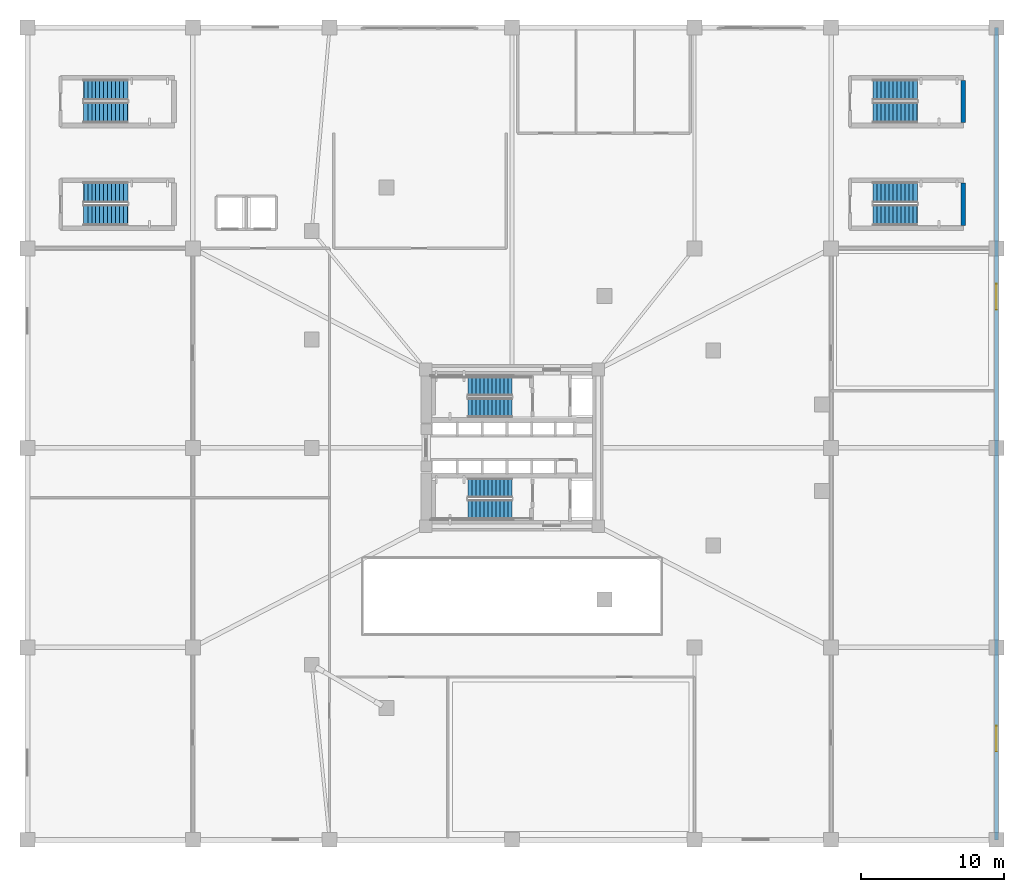
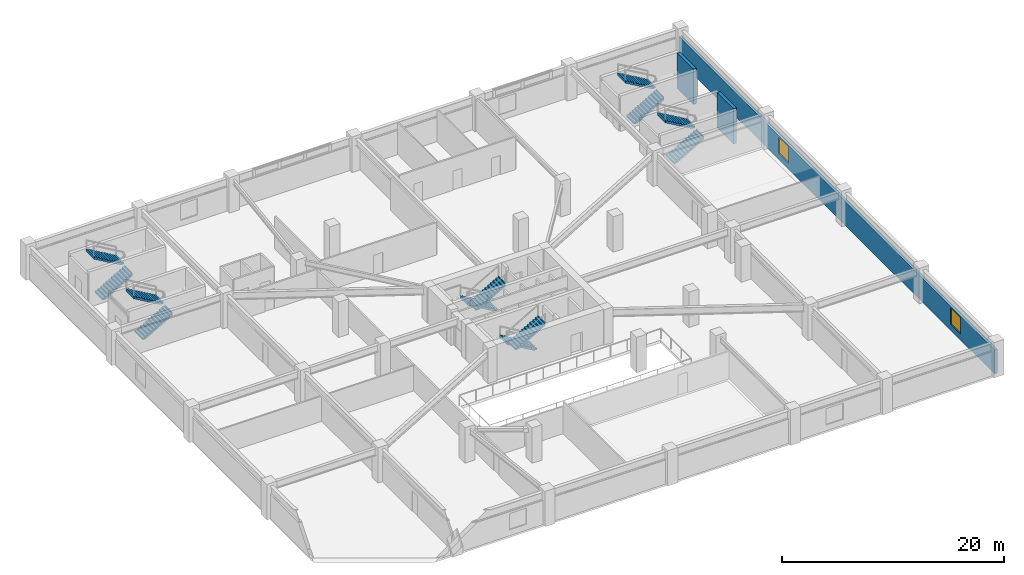
# One storey, part 7 of 15: 12 stair flights, 3 walls, 2 windows, 2 openings, 6 elements without a shape of their own.
"""IFC4 building model written with IfcOpenShell, lengths in metres."""

from ifc_helpers import new_model, si_unit, direction, frame, frame_2d, origin, place, context, subcontext, project, spatial, polyline, rectangle, outline, extrude, material, layer, layer_set, type_object, element, fill, aggregate, save


model = new_model("IFC4")

# Units and contexts
model_context = context("Model", 3, precision=1e-05, world=origin(), true_north=direction((0.0, 1.0)))
body_context = subcontext(model_context, "Body", "Model", "MODEL_VIEW")
ifc_project = project(units=[si_unit("LENGTHUNIT", "METRE"), si_unit("AREAUNIT", "SQUARE_METRE"), si_unit("VOLUMEUNIT", "CUBIC_METRE"), si_unit("PLANEANGLEUNIT", "RADIAN"), si_unit("MASSUNIT", "GRAM", prefix="KILO")], contexts=[model_context])

# Site, building, storey
site_placement = place(None, origin())
site = spatial("IfcSite", under=ifc_project, at=site_placement, CompositionType="ELEMENT")
building_placement = place(site_placement, origin())
building = spatial("IfcBuilding", under=site, at=building_placement, Name="Yunling Apex Tower", CompositionType="ELEMENT")
storey_placement = place(building_placement, frame((0.0, 0.0, 12.300048828125)))
storey = spatial("IfcBuildingStorey", under=building, at=storey_placement, Name="L04", CompositionType="ELEMENT", Elevation=12.300048828125)

# Walls
ifc_material_1 = material(Name="Concrete C40", Category="concrete")
ifc_layer_1 = layer(ifc_material_1, 0.320068359375)
ifc_layer_set_1 = layer_set([ifc_layer_1], Name="Concrete C40")
wall_type_1 = type_object("IfcWallType", Name="WL-COR-7", PredefinedType="SHEAR", material=ifc_layer_set_1)
for number, where, z_axis, x_axis, name in (
    (1, (31.679931640625, 15.6201171875, 0.0), (0.0, 0.0, 1.0), (0.0, 1.0, 0.0), "L04 STP2 Half-Landing Bearing Wall"),
    (2, (31.679931640625, 22.820068359375, 0.0), (0.0, 0.0, 1.0), (0.0, 1.0, 0.0), "L04 STG2 Half-Landing Bearing Wall"),
):
    element("IfcWall", number, at=place(storey_placement, frame(where, z_axis=z_axis, x_axis=x_axis)), inside=storey, type_object=wall_type_1, Name=name, PredefinedType="SHEAR", context=body_context, shape_type="SweptSolid", body=[
        extrude(rectangle(XDim=2.9599609375, YDim=0.320068359375, at=frame_2d((1.47998046875, 0.0))), origin(), (0.0, 0.0, 1.0), 3.89990234375),
    ])

# Wall, openings, windows
ifc_material_2 = material(Name="Precast concrete C40", Category="concrete")
ifc_layer_2 = layer(ifc_material_2, 0.280029296875)
ifc_layer_set_2 = layer_set([ifc_layer_2], Name="Precast concrete C40")
wall_type_2 = type_object("IfcWallType", Name="WL-EXT-2", PredefinedType="SOLIDWALL", material=ifc_layer_set_2)
wall_placement = place(storey_placement, frame((34.0, 29.5, 0.0), z_axis=(0.0, 0.0, 1.0), x_axis=(0.0, -1.0, 0.0)))
wall = element("IfcWall", 3, at=wall_placement, inside=storey, type_object=wall_type_2, Name="WL-POD-L04-E", PredefinedType="SOLIDWALL", context=body_context, shape_type="SweptSolid", body=[
    extrude(rectangle(XDim=57.0, YDim=0.280029296875, at=frame_2d((28.5, 0.0))), origin(), (0.0, 0.0, 1.0), 2.64990234375),
])
opening_1_placement = place(wall_placement, frame((18.0, 0.0, 0.64990234375)))
opening_1 = element("IfcOpeningElement", 4, at=opening_1_placement, cuts=wall, Name="Opening WN-POD-2", PredefinedType="OPENING", context=body_context, shape_type="SweptSolid", body=[
    extrude(rectangle(XDim=1.800048828125, YDim=1.800048828125, at=frame_2d((0.89990234375, 0.89990234375))), frame((0.0, 0.14990234375, 0.0), z_axis=(0.0, -1.0, 0.0), x_axis=(1.0, 0.0, 0.0)), (0.0, 0.0, 1.0), 0.300048828125),
])
opening_2_placement = place(wall_placement, frame((49.0, 0.0, 0.64990234375)))
opening_2 = element("IfcOpeningElement", 5, at=opening_2_placement, cuts=wall, Name="Opening WN-POD-2", PredefinedType="OPENING", context=body_context, shape_type="SweptSolid", body=[
    extrude(rectangle(XDim=1.800048828125, YDim=1.800048828125, at=frame_2d((0.89990234375, 0.89990234375))), frame((0.0, 0.14990234375, 0.0), z_axis=(0.0, -1.0, 0.0), x_axis=(1.0, 0.0, 0.0)), (0.0, 0.0, 1.0), 0.300048828125),
])
ifc_material_3 = material(Name="Bronze tinted low-E glass", Category="glass")
window_type = type_object("IfcWindowType", Name="WN-POD-2", PartitioningType="SINGLE_PANEL", PredefinedType="WINDOW", material=ifc_material_3)
window_1_placement = place(opening_1_placement, origin())
window_1 = element("IfcWindow", 6, at=window_1_placement, inside=storey, type_object=window_type, Name="WN-L04-E-1", OverallHeight=1.800048828125, OverallWidth=1.800048828125, PartitioningType="SINGLE_PANEL", PredefinedType="WINDOW", context=body_context, shape_type="SweptSolid", body=[
    extrude(rectangle(XDim=1.800048828125, YDim=1.800048828125, at=frame_2d((0.89990234375, 0.89990234375))), frame((0.0, 0.030029296875, 0.0), z_axis=(0.0, -1.0, 0.0), x_axis=(1.0, 0.0, 0.0)), (0.0, 0.0, 1.0), 0.06005859375),
])
fill(opening_1, window_1)
window_2_placement = place(opening_2_placement, origin())
window_2 = element("IfcWindow", 7, at=window_2_placement, inside=storey, type_object=window_type, Name="WN-L04-E-2", OverallHeight=1.800048828125, OverallWidth=1.800048828125, PartitioningType="SINGLE_PANEL", PredefinedType="WINDOW", context=body_context, shape_type="SweptSolid", body=[
    extrude(rectangle(XDim=1.800048828125, YDim=1.800048828125, at=frame_2d((0.89990234375, 0.89990234375))), frame((0.0, 0.030029296875, 0.0), z_axis=(0.0, -1.0, 0.0), x_axis=(1.0, 0.0, 0.0)), (0.0, 0.0, 1.0), 0.06005859375),
])
fill(opening_2, window_2)

# Stair, stair flights
stair_type_1 = type_object("IfcStairType", Name="ST-GDN-1", PredefinedType="STRAIGHT_RUN_STAIR", material=ifc_material_1)
stair_1_placement = place(storey_placement, origin())
stair_1 = element("IfcStair", 8, at=stair_1_placement, inside=storey, type_object=stair_type_1, Name="L04 West Plaza-to-Garden External Stair ST-G1", PredefinedType="HALF_TURN_STAIR")
stair_flight_type_1 = type_object("IfcStairFlightType", Name="SFL-GDN-1", PredefinedType="STRAIGHT", material=ifc_material_1)
stair_flight_1_placement = place(storey_placement, frame((-30.050048828125, 23.52490234375, 0.0), z_axis=(0.0, 0.0, 1.0), x_axis=(1.0, 0.0, 0.0)))
stair_flight_1 = element("IfcStairFlight", 9, at=stair_flight_1_placement, type_object=stair_flight_type_1, Name="ST-G1 flight 1", NumberOfRisers=12, NumberOfTreads=11, PredefinedType="STRAIGHT", RiserHeight=0.1625, TreadLength=0.28, context=body_context, shape_type="SweptSolid", body=[
    extrude(outline(polyline([(-0.011962890625, 0.0), (-0.011962890625, 0.16259765625), (0.0, 0.16259765625), (0.280029296875, 0.16259765625), (0.280029296875, 0.324951171875), (0.56005859375, 0.324951171875), (0.56005859375, 0.487548828125), (0.840087890625, 0.487548828125), (0.840087890625, 0.64990234375), (1.1201171875, 0.64990234375), (1.1201171875, 0.8125), (1.39990234375, 0.8125), (1.39990234375, 0.97509765625), (1.679931640625, 0.97509765625), (1.679931640625, 1.137451171875), (1.9599609375, 1.137451171875), (1.9599609375, 1.300048828125), (2.239990234375, 1.300048828125), (2.239990234375, 1.46240234375), (2.52001953125, 1.46240234375), (2.52001953125, 1.625), (2.800048828125, 1.625), (2.800048828125, 1.78759765625), (3.080078125, 1.78759765625), (3.080078125, 1.949951171875), (3.092041015625, 1.949951171875), (3.092041015625, 1.6025390625), (0.318603515625, 0.0), (-0.011962890625, 0.0)])), frame((0.0, 0.72509765625, 0.0), z_axis=(0.0, -1.0, 0.0), x_axis=(1.0, 0.0, 0.0)), (0.0, 0.0, 1.0), 1.449951171875),
])
stair_flight_2_placement = place(storey_placement, frame((-26.969970703125, 25.125, 1.949951171875), z_axis=(0.0, 0.0, 1.0), x_axis=(-1.0, 0.0, 0.0)))
stair_flight_2 = element("IfcStairFlight", 10, at=stair_flight_2_placement, type_object=stair_flight_type_1, Name="ST-G1 flight 2", NumberOfRisers=12, NumberOfTreads=11, PredefinedType="STRAIGHT", RiserHeight=0.1625, TreadLength=0.28, context=body_context, shape_type="SweptSolid", body=[
    extrude(outline(polyline([(-0.011962890625, 0.0), (-0.011962890625, 0.16259765625), (0.0, 0.16259765625), (0.280029296875, 0.16259765625), (0.280029296875, 0.324951171875), (0.56005859375, 0.324951171875), (0.56005859375, 0.487548828125), (0.840087890625, 0.487548828125), (0.840087890625, 0.64990234375), (1.1201171875, 0.64990234375), (1.1201171875, 0.8125), (1.39990234375, 0.8125), (1.39990234375, 0.97509765625), (1.679931640625, 0.97509765625), (1.679931640625, 1.137451171875), (1.9599609375, 1.137451171875), (1.9599609375, 1.300048828125), (2.239990234375, 1.300048828125), (2.239990234375, 1.46240234375), (2.52001953125, 1.46240234375), (2.52001953125, 1.625), (2.800048828125, 1.625), (2.800048828125, 1.78759765625), (3.080078125, 1.78759765625), (3.080078125, 1.949951171875), (3.092041015625, 1.949951171875), (3.092041015625, 1.6025390625), (0.318603515625, 0.0), (-0.011962890625, 0.0)])), frame((0.0, 0.72509765625, 0.0), z_axis=(0.0, -1.0, 0.0), x_axis=(1.0, 0.0, 0.0)), (0.0, 0.0, 1.0), 1.449951171875),
])
aggregate(stair_1, [stair_flight_1, stair_flight_2])

stair_2_placement = place(storey_placement, origin())
stair_2 = element("IfcStair", 11, at=stair_2_placement, inside=storey, type_object=stair_type_1, Name="L04 East Plaza-to-Garden External Stair ST-G2", PredefinedType="HALF_TURN_STAIR")
stair_flight_3_placement = place(storey_placement, frame((25.35009765625, 23.52490234375, 0.0), z_axis=(0.0, 0.0, 1.0), x_axis=(1.0, 0.0, 0.0)))
stair_flight_3 = element("IfcStairFlight", 12, at=stair_flight_3_placement, type_object=stair_flight_type_1, Name="ST-G2 flight 1", NumberOfRisers=12, NumberOfTreads=11, PredefinedType="STRAIGHT", RiserHeight=0.1625, TreadLength=0.28, context=body_context, shape_type="SweptSolid", body=[
    extrude(outline(polyline([(-0.011962890625, 0.0), (-0.011962890625, 0.16259765625), (0.0, 0.16259765625), (0.280029296875, 0.16259765625), (0.280029296875, 0.324951171875), (0.56005859375, 0.324951171875), (0.56005859375, 0.487548828125), (0.840087890625, 0.487548828125), (0.840087890625, 0.64990234375), (1.1201171875, 0.64990234375), (1.1201171875, 0.8125), (1.39990234375, 0.8125), (1.39990234375, 0.97509765625), (1.679931640625, 0.97509765625), (1.679931640625, 1.137451171875), (1.9599609375, 1.137451171875), (1.9599609375, 1.300048828125), (2.239990234375, 1.300048828125), (2.239990234375, 1.46240234375), (2.52001953125, 1.46240234375), (2.52001953125, 1.625), (2.800048828125, 1.625), (2.800048828125, 1.78759765625), (3.080078125, 1.78759765625), (3.080078125, 1.949951171875), (3.092041015625, 1.949951171875), (3.092041015625, 1.6025390625), (0.318603515625, 0.0), (-0.011962890625, 0.0)])), frame((0.0, 0.72509765625, 0.0), z_axis=(0.0, -1.0, 0.0), x_axis=(1.0, 0.0, 0.0)), (0.0, 0.0, 1.0), 1.449951171875),
])
stair_flight_4_placement = place(storey_placement, frame((28.429931640625, 25.125, 1.949951171875), z_axis=(0.0, 0.0, 1.0), x_axis=(-1.0, 0.0, 0.0)))
stair_flight_4 = element("IfcStairFlight", 13, at=stair_flight_4_placement, type_object=stair_flight_type_1, Name="ST-G2 flight 2", NumberOfRisers=12, NumberOfTreads=11, PredefinedType="STRAIGHT", RiserHeight=0.1625, TreadLength=0.28, context=body_context, shape_type="SweptSolid", body=[
    extrude(outline(polyline([(-0.011962890625, 0.0), (-0.011962890625, 0.16259765625), (0.0, 0.16259765625), (0.280029296875, 0.16259765625), (0.280029296875, 0.324951171875), (0.56005859375, 0.324951171875), (0.56005859375, 0.487548828125), (0.840087890625, 0.487548828125), (0.840087890625, 0.64990234375), (1.1201171875, 0.64990234375), (1.1201171875, 0.8125), (1.39990234375, 0.8125), (1.39990234375, 0.97509765625), (1.679931640625, 0.97509765625), (1.679931640625, 1.137451171875), (1.9599609375, 1.137451171875), (1.9599609375, 1.300048828125), (2.239990234375, 1.300048828125), (2.239990234375, 1.46240234375), (2.52001953125, 1.46240234375), (2.52001953125, 1.625), (2.800048828125, 1.625), (2.800048828125, 1.78759765625), (3.080078125, 1.78759765625), (3.080078125, 1.949951171875), (3.092041015625, 1.949951171875), (3.092041015625, 1.6025390625), (0.318603515625, 0.0), (-0.011962890625, 0.0)])), frame((0.0, 0.72509765625, 0.0), z_axis=(0.0, -1.0, 0.0), x_axis=(1.0, 0.0, 0.0)), (0.0, 0.0, 1.0), 1.449951171875),
])
aggregate(stair_2, [stair_flight_3, stair_flight_4])

stair_type_2 = type_object("IfcStairType", Name="ST-POD-1", PredefinedType="HALF_TURN_STAIR", material=ifc_material_1)
stair_3_placement = place(storey_placement, origin())
stair_3 = element("IfcStair", 14, at=stair_3_placement, inside=storey, type_object=stair_type_2, Name="L04 West Podium Smokeproof Stair ST-P1", PredefinedType="HALF_TURN_STAIR")
stair_flight_type_2 = type_object("IfcStairFlightType", Name="SFL-POD-1", PredefinedType="STRAIGHT", material=ifc_material_1)
stair_flight_5_placement = place(storey_placement, frame((-30.050048828125, 16.324951171875, 0.0), z_axis=(0.0, 0.0, 1.0), x_axis=(1.0, 0.0, 0.0)))
stair_flight_5 = element("IfcStairFlight", 15, at=stair_flight_5_placement, type_object=stair_flight_type_2, Name="ST-P1 flight 1", NumberOfRisers=12, NumberOfTreads=11, PredefinedType="STRAIGHT", RiserHeight=0.1625, TreadLength=0.28, context=body_context, shape_type="SweptSolid", body=[
    extrude(outline(polyline([(-0.011962890625, 0.0), (-0.011962890625, 0.16259765625), (0.0, 0.16259765625), (0.280029296875, 0.16259765625), (0.280029296875, 0.324951171875), (0.56005859375, 0.324951171875), (0.56005859375, 0.487548828125), (0.840087890625, 0.487548828125), (0.840087890625, 0.64990234375), (1.1201171875, 0.64990234375), (1.1201171875, 0.8125), (1.39990234375, 0.8125), (1.39990234375, 0.97509765625), (1.679931640625, 0.97509765625), (1.679931640625, 1.137451171875), (1.9599609375, 1.137451171875), (1.9599609375, 1.300048828125), (2.239990234375, 1.300048828125), (2.239990234375, 1.46240234375), (2.52001953125, 1.46240234375), (2.52001953125, 1.625), (2.800048828125, 1.625), (2.800048828125, 1.78759765625), (3.080078125, 1.78759765625), (3.080078125, 1.949951171875), (3.092041015625, 1.949951171875), (3.092041015625, 1.6025390625), (0.318603515625, 0.0), (-0.011962890625, 0.0)])), frame((0.0, 0.72509765625, 0.0), z_axis=(0.0, -1.0, 0.0), x_axis=(1.0, 0.0, 0.0)), (0.0, 0.0, 1.0), 1.449951171875),
])
stair_flight_6_placement = place(storey_placement, frame((-26.969970703125, 17.925048828125, 1.949951171875), z_axis=(0.0, 0.0, 1.0), x_axis=(-1.0, 0.0, 0.0)))
stair_flight_6 = element("IfcStairFlight", 16, at=stair_flight_6_placement, type_object=stair_flight_type_2, Name="ST-P1 flight 2", NumberOfRisers=12, NumberOfTreads=11, PredefinedType="STRAIGHT", RiserHeight=0.1625, TreadLength=0.28, context=body_context, shape_type="SweptSolid", body=[
    extrude(outline(polyline([(-0.011962890625, 0.0), (-0.011962890625, 0.16259765625), (0.0, 0.16259765625), (0.280029296875, 0.16259765625), (0.280029296875, 0.324951171875), (0.56005859375, 0.324951171875), (0.56005859375, 0.487548828125), (0.840087890625, 0.487548828125), (0.840087890625, 0.64990234375), (1.1201171875, 0.64990234375), (1.1201171875, 0.8125), (1.39990234375, 0.8125), (1.39990234375, 0.97509765625), (1.679931640625, 0.97509765625), (1.679931640625, 1.137451171875), (1.9599609375, 1.137451171875), (1.9599609375, 1.300048828125), (2.239990234375, 1.300048828125), (2.239990234375, 1.46240234375), (2.52001953125, 1.46240234375), (2.52001953125, 1.625), (2.800048828125, 1.625), (2.800048828125, 1.78759765625), (3.080078125, 1.78759765625), (3.080078125, 1.949951171875), (3.092041015625, 1.949951171875), (3.092041015625, 1.6025390625), (0.318603515625, 0.0), (-0.011962890625, 0.0)])), frame((0.0, 0.72509765625, 0.0), z_axis=(0.0, -1.0, 0.0), x_axis=(1.0, 0.0, 0.0)), (0.0, 0.0, 1.0), 1.449951171875),
])
aggregate(stair_3, [stair_flight_5, stair_flight_6])

stair_4_placement = place(storey_placement, origin())
stair_4 = element("IfcStair", 17, at=stair_4_placement, inside=storey, type_object=stair_type_2, Name="L04 East Podium Smokeproof Stair ST-P2", PredefinedType="HALF_TURN_STAIR")
stair_flight_7_placement = place(storey_placement, frame((25.35009765625, 16.324951171875, 0.0), z_axis=(0.0, 0.0, 1.0), x_axis=(1.0, 0.0, 0.0)))
stair_flight_7 = element("IfcStairFlight", 18, at=stair_flight_7_placement, type_object=stair_flight_type_2, Name="ST-P2 flight 1", NumberOfRisers=12, NumberOfTreads=11, PredefinedType="STRAIGHT", RiserHeight=0.1625, TreadLength=0.28, context=body_context, shape_type="SweptSolid", body=[
    extrude(outline(polyline([(-0.011962890625, 0.0), (-0.011962890625, 0.16259765625), (0.0, 0.16259765625), (0.280029296875, 0.16259765625), (0.280029296875, 0.324951171875), (0.56005859375, 0.324951171875), (0.56005859375, 0.487548828125), (0.840087890625, 0.487548828125), (0.840087890625, 0.64990234375), (1.1201171875, 0.64990234375), (1.1201171875, 0.8125), (1.39990234375, 0.8125), (1.39990234375, 0.97509765625), (1.679931640625, 0.97509765625), (1.679931640625, 1.137451171875), (1.9599609375, 1.137451171875), (1.9599609375, 1.300048828125), (2.239990234375, 1.300048828125), (2.239990234375, 1.46240234375), (2.52001953125, 1.46240234375), (2.52001953125, 1.625), (2.800048828125, 1.625), (2.800048828125, 1.78759765625), (3.080078125, 1.78759765625), (3.080078125, 1.949951171875), (3.092041015625, 1.949951171875), (3.092041015625, 1.6025390625), (0.318603515625, 0.0), (-0.011962890625, 0.0)])), frame((0.0, 0.72509765625, 0.0), z_axis=(0.0, -1.0, 0.0), x_axis=(1.0, 0.0, 0.0)), (0.0, 0.0, 1.0), 1.449951171875),
])
stair_flight_8_placement = place(storey_placement, frame((28.429931640625, 17.925048828125, 1.949951171875), z_axis=(0.0, 0.0, 1.0), x_axis=(-1.0, 0.0, 0.0)))
stair_flight_8 = element("IfcStairFlight", 19, at=stair_flight_8_placement, type_object=stair_flight_type_2, Name="ST-P2 flight 2", NumberOfRisers=12, NumberOfTreads=11, PredefinedType="STRAIGHT", RiserHeight=0.1625, TreadLength=0.28, context=body_context, shape_type="SweptSolid", body=[
    extrude(outline(polyline([(-0.011962890625, 0.0), (-0.011962890625, 0.16259765625), (0.0, 0.16259765625), (0.280029296875, 0.16259765625), (0.280029296875, 0.324951171875), (0.56005859375, 0.324951171875), (0.56005859375, 0.487548828125), (0.840087890625, 0.487548828125), (0.840087890625, 0.64990234375), (1.1201171875, 0.64990234375), (1.1201171875, 0.8125), (1.39990234375, 0.8125), (1.39990234375, 0.97509765625), (1.679931640625, 0.97509765625), (1.679931640625, 1.137451171875), (1.9599609375, 1.137451171875), (1.9599609375, 1.300048828125), (2.239990234375, 1.300048828125), (2.239990234375, 1.46240234375), (2.52001953125, 1.46240234375), (2.52001953125, 1.625), (2.800048828125, 1.625), (2.800048828125, 1.78759765625), (3.080078125, 1.78759765625), (3.080078125, 1.949951171875), (3.092041015625, 1.949951171875), (3.092041015625, 1.6025390625), (0.318603515625, 0.0), (-0.011962890625, 0.0)])), frame((0.0, 0.72509765625, 0.0), z_axis=(0.0, -1.0, 0.0), x_axis=(1.0, 0.0, 0.0)), (0.0, 0.0, 1.0), 1.449951171875),
])
aggregate(stair_4, [stair_flight_7, stair_flight_8])

stair_type_3 = type_object("IfcStairType", Name="ST-TWR-1", PredefinedType="HALF_TURN_STAIR", material=ifc_material_1)
stair_5_placement = place(storey_placement, origin())
stair_5 = element("IfcStair", 20, at=stair_5_placement, inside=storey, type_object=stair_type_3, Name="L04 North Core Smokeproof Exit Stair ST-1", PredefinedType="HALF_TURN_STAIR")
stair_flight_type_3 = type_object("IfcStairFlightType", Name="SFL-TWR-1", PredefinedType="STRAIGHT", material=ifc_material_1)
stair_flight_9_placement = place(storey_placement, frame((-0.010009765625, 4.330078125, 0.0), z_axis=(0.0, 0.0, 1.0), x_axis=(-1.0, 0.0, 0.0)))
stair_flight_9 = element("IfcStairFlight", 21, at=stair_flight_9_placement, type_object=stair_flight_type_3, Name="ST-1 flight 1", NumberOfRisers=12, NumberOfTreads=11, PredefinedType="STRAIGHT", RiserHeight=0.1625, TreadLength=0.28, context=body_context, shape_type="SweptSolid", body=[
    extrude(outline(polyline([(-0.011962890625, 0.0), (-0.011962890625, 0.16259765625), (0.0, 0.16259765625), (0.280029296875, 0.16259765625), (0.280029296875, 0.324951171875), (0.56005859375, 0.324951171875), (0.56005859375, 0.487548828125), (0.840087890625, 0.487548828125), (0.840087890625, 0.64990234375), (1.1201171875, 0.64990234375), (1.1201171875, 0.8125), (1.39990234375, 0.8125), (1.39990234375, 0.97509765625), (1.679931640625, 0.97509765625), (1.679931640625, 1.137451171875), (1.9599609375, 1.137451171875), (1.9599609375, 1.300048828125), (2.239990234375, 1.300048828125), (2.239990234375, 1.46240234375), (2.52001953125, 1.46240234375), (2.52001953125, 1.625), (2.800048828125, 1.625), (2.800048828125, 1.78759765625), (3.080078125, 1.78759765625), (3.080078125, 1.949951171875), (3.092041015625, 1.949951171875), (3.092041015625, 1.6025390625), (0.318603515625, 0.0), (-0.011962890625, 0.0)])), frame((0.0, 0.68017578125, 0.0), z_axis=(0.0, -1.0, 0.0), x_axis=(1.0, 0.0, 0.0)), (0.0, 0.0, 1.0), 1.360107421875),
])
stair_flight_10_placement = place(storey_placement, frame((-3.090087890625, 2.820068359375, 1.949951171875), z_axis=(0.0, 0.0, 1.0), x_axis=(1.0, 0.0, 0.0)))
stair_flight_10 = element("IfcStairFlight", 22, at=stair_flight_10_placement, type_object=stair_flight_type_3, Name="ST-1 flight 2", NumberOfRisers=12, NumberOfTreads=11, PredefinedType="STRAIGHT", RiserHeight=0.1625, TreadLength=0.28, context=body_context, shape_type="SweptSolid", body=[
    extrude(outline(polyline([(-0.011962890625, 0.0), (-0.011962890625, 0.16259765625), (0.0, 0.16259765625), (0.280029296875, 0.16259765625), (0.280029296875, 0.324951171875), (0.56005859375, 0.324951171875), (0.56005859375, 0.487548828125), (0.840087890625, 0.487548828125), (0.840087890625, 0.64990234375), (1.1201171875, 0.64990234375), (1.1201171875, 0.8125), (1.39990234375, 0.8125), (1.39990234375, 0.97509765625), (1.679931640625, 0.97509765625), (1.679931640625, 1.137451171875), (1.9599609375, 1.137451171875), (1.9599609375, 1.300048828125), (2.239990234375, 1.300048828125), (2.239990234375, 1.46240234375), (2.52001953125, 1.46240234375), (2.52001953125, 1.625), (2.800048828125, 1.625), (2.800048828125, 1.78759765625), (3.080078125, 1.78759765625), (3.080078125, 1.949951171875), (3.092041015625, 1.949951171875), (3.092041015625, 1.6025390625), (0.318603515625, 0.0), (-0.011962890625, 0.0)])), frame((0.0, 0.68017578125, 0.0), z_axis=(0.0, -1.0, 0.0), x_axis=(1.0, 0.0, 0.0)), (0.0, 0.0, 1.0), 1.360107421875),
])
aggregate(stair_5, [stair_flight_9, stair_flight_10])

stair_6_placement = place(storey_placement, origin())
stair_6 = element("IfcStair", 23, at=stair_6_placement, inside=storey, type_object=stair_type_3, Name="L04 South Core Smokeproof Exit Stair ST-2", PredefinedType="HALF_TURN_STAIR")
stair_flight_11_placement = place(storey_placement, frame((-0.010009765625, -2.820068359375, 0.0), z_axis=(0.0, 0.0, 1.0), x_axis=(-1.0, 0.0, 0.0)))
stair_flight_11 = element("IfcStairFlight", 24, at=stair_flight_11_placement, type_object=stair_flight_type_3, Name="ST-2 flight 1", NumberOfRisers=12, NumberOfTreads=11, PredefinedType="STRAIGHT", RiserHeight=0.1625, TreadLength=0.28, context=body_context, shape_type="SweptSolid", body=[
    extrude(outline(polyline([(-0.011962890625, 0.0), (-0.011962890625, 0.16259765625), (0.0, 0.16259765625), (0.280029296875, 0.16259765625), (0.280029296875, 0.324951171875), (0.56005859375, 0.324951171875), (0.56005859375, 0.487548828125), (0.840087890625, 0.487548828125), (0.840087890625, 0.64990234375), (1.1201171875, 0.64990234375), (1.1201171875, 0.8125), (1.39990234375, 0.8125), (1.39990234375, 0.97509765625), (1.679931640625, 0.97509765625), (1.679931640625, 1.137451171875), (1.9599609375, 1.137451171875), (1.9599609375, 1.300048828125), (2.239990234375, 1.300048828125), (2.239990234375, 1.46240234375), (2.52001953125, 1.46240234375), (2.52001953125, 1.625), (2.800048828125, 1.625), (2.800048828125, 1.78759765625), (3.080078125, 1.78759765625), (3.080078125, 1.949951171875), (3.092041015625, 1.949951171875), (3.092041015625, 1.6025390625), (0.318603515625, 0.0), (-0.011962890625, 0.0)])), frame((0.0, 0.68017578125, 0.0), z_axis=(0.0, -1.0, 0.0), x_axis=(1.0, 0.0, 0.0)), (0.0, 0.0, 1.0), 1.360107421875),
])
stair_flight_12_placement = place(storey_placement, frame((-3.090087890625, -4.330078125, 1.949951171875), z_axis=(0.0, 0.0, 1.0), x_axis=(1.0, 0.0, 0.0)))
stair_flight_12 = element("IfcStairFlight", 25, at=stair_flight_12_placement, type_object=stair_flight_type_3, Name="ST-2 flight 2", NumberOfRisers=12, NumberOfTreads=11, PredefinedType="STRAIGHT", RiserHeight=0.1625, TreadLength=0.28, context=body_context, shape_type="SweptSolid", body=[
    extrude(outline(polyline([(-0.011962890625, 0.0), (-0.011962890625, 0.16259765625), (0.0, 0.16259765625), (0.280029296875, 0.16259765625), (0.280029296875, 0.324951171875), (0.56005859375, 0.324951171875), (0.56005859375, 0.487548828125), (0.840087890625, 0.487548828125), (0.840087890625, 0.64990234375), (1.1201171875, 0.64990234375), (1.1201171875, 0.8125), (1.39990234375, 0.8125), (1.39990234375, 0.97509765625), (1.679931640625, 0.97509765625), (1.679931640625, 1.137451171875), (1.9599609375, 1.137451171875), (1.9599609375, 1.300048828125), (2.239990234375, 1.300048828125), (2.239990234375, 1.46240234375), (2.52001953125, 1.46240234375), (2.52001953125, 1.625), (2.800048828125, 1.625), (2.800048828125, 1.78759765625), (3.080078125, 1.78759765625), (3.080078125, 1.949951171875), (3.092041015625, 1.949951171875), (3.092041015625, 1.6025390625), (0.318603515625, 0.0), (-0.011962890625, 0.0)])), frame((0.0, 0.68017578125, 0.0), z_axis=(0.0, -1.0, 0.0), x_axis=(1.0, 0.0, 0.0)), (0.0, 0.0, 1.0), 1.360107421875),
])
aggregate(stair_6, [stair_flight_11, stair_flight_12])

save(model, "model.ifc")
